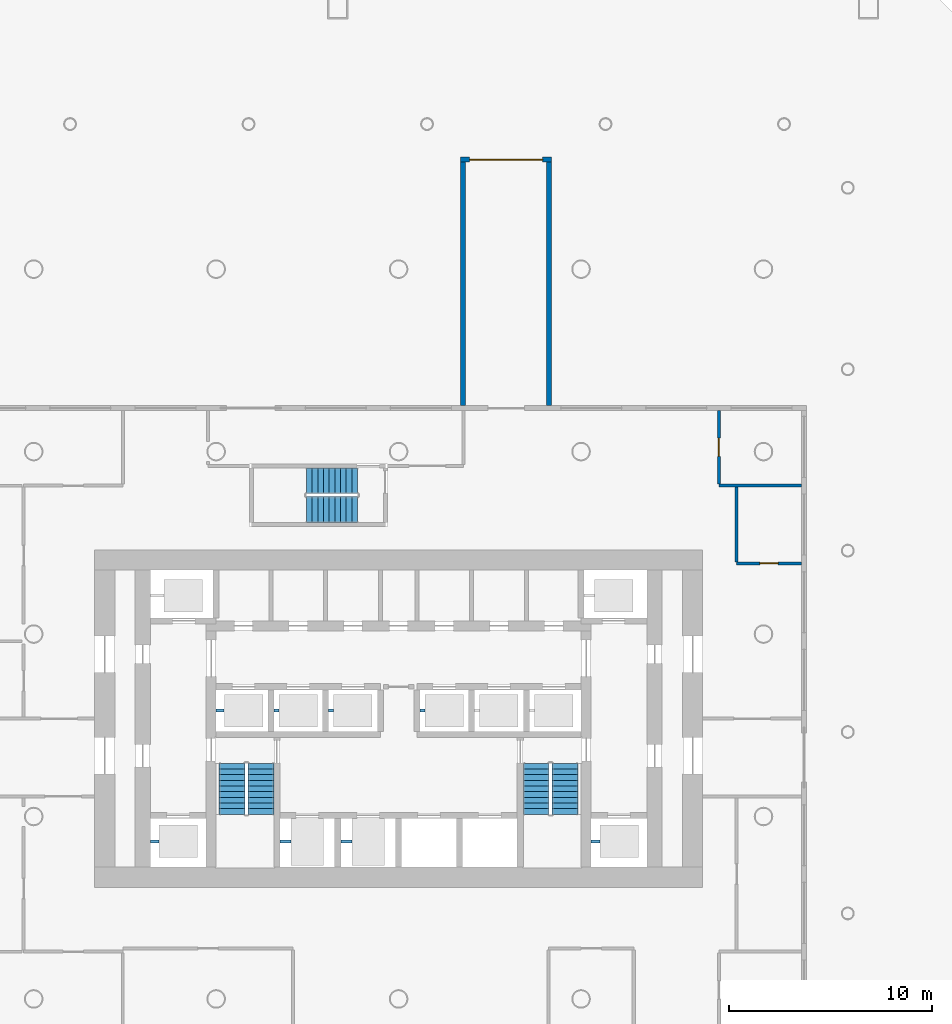
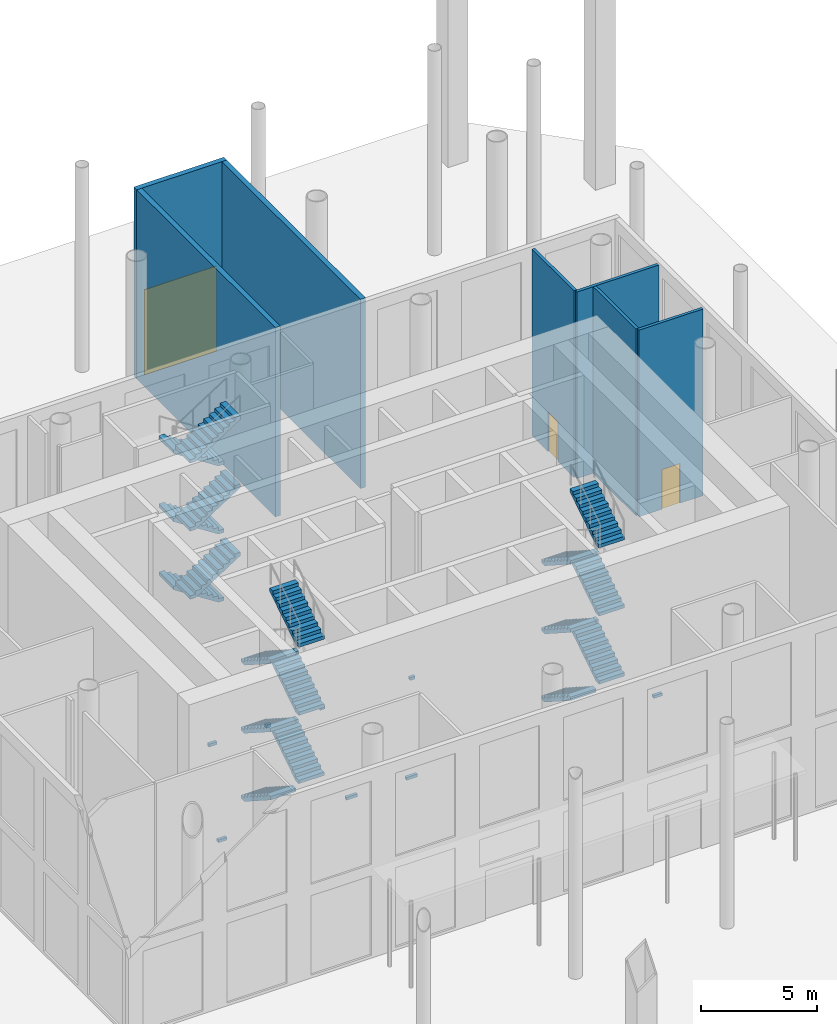
# One storey, part 14 of 18: 18 stair flights, 8 discrete accessories, 7 walls, 3 doors, 3 openings, 3 elements without a shape of their own.
"""IFC4 building model written with IfcOpenShell, lengths in metres."""

import ifcopenshell
import ifcopenshell.guid

model = None  # the IFC model being written
_history = None  # IfcOwnerHistory: only IFC2X3 demands one
_inside = {}  # id of a spatial element -> (the spatial element, [elements in it])
_under = {}  # id of a project, library or spatial element -> (it, [spatial elements below it])
_declared = {}  # id of a project -> (the project, [libraries it declares])
_typed = {}  # id of a type object -> (the type object, [elements of that type])
_made_of = {}  # id of a material, layer set ... -> (it, [elements and type objects made of it])


def new_model(schema):
    """Start an empty IFC model of exactly this schema.

    Asked for "IFC4X3", IfcOpenShell would pick the latest addendum, in which some entities
    have other attributes; the version numbers below select the first issue.
    IFC2X3 requires an IfcOwnerHistory on every rooted entity: one is made here for all.
    """
    global model, _history
    if schema == "IFC4X3":
        model = ifcopenshell.file(schema_version=(4, 3, 0, 0))
    else:
        model = ifcopenshell.file(schema=schema)
    _inside.clear()
    _under.clear()
    _declared.clear()
    _typed.clear()
    _made_of.clear()
    _history = None
    if model.schema == "IFC2X3":
        org = make("IfcOrganization", Name="unknown")
        user = make(
            "IfcPersonAndOrganization",
            ThePerson=make("IfcPerson", FamilyName="unknown"),
            TheOrganization=org,
        )
        app = make(
            "IfcApplication",
            ApplicationDeveloper=org,
            Version="unknown",
            ApplicationFullName="unknown",
            ApplicationIdentifier="unknown",
        )
        _history = make(
            "IfcOwnerHistory",
            OwningUser=user,
            OwningApplication=app,
            ChangeAction="ADDED",
            CreationDate=0,
        )
    return model


def make(cls, **values):
    """One entity of the class cls with the attributes given. An attribute that is None is left unset."""
    return model.create_entity(
        cls, **{name: value for name, value in values.items() if value is not None}
    )


def rooted(cls, **values):
    """An entity with a GlobalId (a new one), such as an element, a storey or a relation."""
    return make(cls, GlobalId=ifcopenshell.guid.new(), OwnerHistory=_history, **values)


def si_unit(unit_type, name, prefix=None):
    """IfcSIUnit, for example si_unit("LENGTHUNIT", "METRE", prefix="MILLI")."""
    return make("IfcSIUnit", UnitType=unit_type, Prefix=prefix, Name=name)


def assignment(units):
    """IfcUnitAssignment: the units of a project."""
    return None if units is None else make("IfcUnitAssignment", Units=units)


def point(xyz):
    """IfcCartesianPoint."""
    return None if xyz is None else make("IfcCartesianPoint", Coordinates=xyz)


def direction(xyz):
    """IfcDirection."""
    return None if xyz is None else make("IfcDirection", DirectionRatios=xyz)


def frame(location, z_axis=None, x_axis=None):
    """IfcAxis2Placement3D, a coordinate frame: its origin and axes. An axis left out is left unset."""
    return make(
        "IfcAxis2Placement3D",
        Location=point(location),
        Axis=direction(z_axis),
        RefDirection=direction(x_axis),
    )


def frame_2d(location, x_axis=None):
    """IfcAxis2Placement2D, a coordinate frame in the plane: its origin and x axis."""
    return make(
        "IfcAxis2Placement2D", Location=point(location), RefDirection=direction(x_axis)
    )


def origin():
    """The frame at (0, 0, 0) with its axes left unset."""
    return frame((0.0, 0.0, 0.0))


def origin_2d():
    """The frame at (0, 0) in the plane with its x axis left unset."""
    return frame_2d((0.0, 0.0))


def place(relative_to, where):
    """IfcLocalPlacement: puts the frame where relative to a parent placement (None: the world)."""
    return make(
        "IfcLocalPlacement", PlacementRelTo=relative_to, RelativePlacement=where
    )


def context(
    kind, dimensions, precision=None, world=None, true_north=None, identifier=None
):
    """IfcGeometricRepresentationContext, for example the 3D "Model" context."""
    return make(
        "IfcGeometricRepresentationContext",
        ContextIdentifier=identifier,
        ContextType=kind,
        CoordinateSpaceDimension=dimensions,
        Precision=precision,
        WorldCoordinateSystem=world,
        TrueNorth=true_north,
    )


def subcontext(parent, identifier, kind, view, scale=None):
    """IfcGeometricRepresentationSubContext, for example "Body" below "Model"."""
    return make(
        "IfcGeometricRepresentationSubContext",
        ContextIdentifier=identifier,
        ContextType=kind,
        ParentContext=parent,
        TargetScale=scale,
        TargetView=view,
    )


def project(units=None, contexts=None):
    """IfcProject with its units and contexts."""
    return rooted(
        "IfcProject",
        Name="project",
        RepresentationContexts=contexts,
        UnitsInContext=assignment(units),
    )


def spatial(cls, under=None, at=None, **own):
    """A site, building, storey or space (cls), placed at a placement, below another one or the project."""
    s = rooted(cls, ObjectPlacement=at, **own)
    if under is not None:
        _under.setdefault(under.id(), (under, []))[1].append(s)
    return s


def polyline(points):
    """IfcPolyline through the points."""
    return make("IfcPolyline", Points=[point(p) for p in points])


def profile(cls, at=None, kind="AREA", **sizes):
    """A parametric profile (cls). Its sizes go by their IFC names, for example OverallWidth=200.0."""
    return make(cls, ProfileType=kind, Position=at, **sizes)


def rectangle(**sizes):
    """IfcRectangleProfileDef."""
    return profile("IfcRectangleProfileDef", **sizes)


def outline(outer, holes=None, kind="AREA"):
    """IfcArbitraryClosedProfileDef: a profile drawn as a closed curve; with holes, ...WithVoids."""
    if holes is None:
        return make("IfcArbitraryClosedProfileDef", ProfileType=kind, OuterCurve=outer)
    return make(
        "IfcArbitraryProfileDefWithVoids",
        ProfileType=kind,
        OuterCurve=outer,
        InnerCurves=holes,
    )


def extrude(swept, where, along, depth):
    """IfcExtrudedAreaSolid: the profile swept, set in the frame where, extruded along a direction by depth."""
    return make(
        "IfcExtrudedAreaSolid",
        SweptArea=swept,
        Position=where,
        ExtrudedDirection=direction(along),
        Depth=depth,
    )


def shape(context_of_items, identifier, shape_type, items):
    """IfcShapeRepresentation: the items that make up one representation, for example the "Body"."""
    return make(
        "IfcShapeRepresentation",
        ContextOfItems=context_of_items,
        RepresentationIdentifier=identifier,
        RepresentationType=shape_type,
        Items=items,
    )


def material(Name=None, Category=None):
    """IfcMaterial."""
    return make("IfcMaterial", Name=Name, Category=Category)


def layer(
    of_material, thickness, ventilated=None, Name=None, Category=None, Priority=None
):
    """IfcMaterialLayer: one layer of a wall or slab, of a material (None: an air gap)."""
    return make(
        "IfcMaterialLayer",
        Material=of_material,
        LayerThickness=thickness,
        IsVentilated=ventilated,
        Name=Name,
        Category=Category,
        Priority=Priority,
    )


def layer_set(layers, Name=None):
    """IfcMaterialLayerSet."""
    return make("IfcMaterialLayerSet", MaterialLayers=layers, LayerSetName=Name)


def made_of(thing, what):
    """Note that an element or type object is made of a material, layer set ...; save() writes the relation."""
    if what is not None:
        _made_of.setdefault(what.id(), (what, []))[1].append(thing)
    return thing


def type_object(cls, material=None, **own):
    """A type object (cls), such as IfcWallType, which elements share."""
    return made_of(rooted(cls, **own), material)


def element(
    cls,
    number,
    at=None,
    inside=None,
    cuts=None,
    type_object=None,
    material=None,
    context=None,
    identifier="Body",
    shape_type=None,
    held_by="IfcProductDefinitionShape",
    body=None,
    shapes=None,
    **own,
):
    """One element of the class cls, such as IfcWall. Its Tag is "e" and its number.

    at: its placement. inside: the storey or other place that contains it. cuts: it is an
    opening in that element (IfcRelVoidsElement). A single representation is given by context,
    identifier, shape_type and body (its items); several are given by shapes. held_by: the class
    of the entity that holds the representations. save() writes the other relations.
    """
    e = rooted(cls, Tag="e%d" % number, ObjectPlacement=at, **own)
    if body is not None:
        shapes = [shape(context, identifier, shape_type, body)]
    if shapes is not None:
        e.Representation = make(held_by, Representations=shapes)
    if inside is not None:
        _inside.setdefault(inside.id(), (inside, []))[1].append(e)
    if cuts is not None:
        rooted(
            "IfcRelVoidsElement", RelatingBuildingElement=cuts, RelatedOpeningElement=e
        )
    if type_object is not None:
        _typed.setdefault(type_object.id(), (type_object, []))[1].append(e)
    return made_of(e, material)


def fill(opening, filler):
    """IfcRelFillsElement: the door or window that sits in an opening."""
    return rooted(
        "IfcRelFillsElement",
        RelatingOpeningElement=opening,
        RelatedBuildingElement=filler,
    )


def aggregate(whole, parts):
    """IfcRelAggregates: a whole, such as a stair, and the parts it consists of."""
    return rooted("IfcRelAggregates", RelatingObject=whole, RelatedObjects=parts)


def save(model, path):
    """Write the relations noted so far, then the file.

    IfcRelAggregates (storeys below a building ...), IfcRelContainedInSpatialStructure (elements
    in a storey), IfcRelDefinesByType, IfcRelAssociatesMaterial and IfcRelDeclares: one each for
    every whole, place, type object, material and project.
    """
    for whole, parts in _under.values():
        aggregate(whole, parts)
    for where, things in _inside.values():
        rooted(
            "IfcRelContainedInSpatialStructure",
            RelatedElements=things,
            RelatingStructure=where,
        )
    for kind, things in _typed.values():
        rooted("IfcRelDefinesByType", RelatedObjects=things, RelatingType=kind)
    for what, things in _made_of.values():
        rooted("IfcRelAssociatesMaterial", RelatedObjects=things, RelatingMaterial=what)
    for by, libraries in _declared.values():
        rooted("IfcRelDeclares", RelatingContext=by, RelatedDefinitions=libraries)
    model.write(path)


model = new_model("IFC4")

# Units and contexts
model_context = context("Model", 3, precision=1e-05, world=origin(), true_north=direction((0.0, 1.0)))
body_context = subcontext(model_context, "Body", "Model", "MODEL_VIEW")
ifc_project = project(units=[si_unit("LENGTHUNIT", "METRE"), si_unit("AREAUNIT", "SQUARE_METRE"), si_unit("VOLUMEUNIT", "CUBIC_METRE"), si_unit("PLANEANGLEUNIT", "RADIAN"), si_unit("MASSUNIT", "GRAM", prefix="KILO")], contexts=[model_context])

# Site, building, storey
site_placement = place(None, origin())
site = spatial("IfcSite", under=ifc_project, at=site_placement, CompositionType="ELEMENT")
building_placement = place(site_placement, origin())
building = spatial("IfcBuilding", under=site, at=building_placement, Name="Tskaro Facet Tower", CompositionType="ELEMENT")
storey_placement = place(building_placement, origin())
storey = spatial("IfcBuildingStorey", under=building, at=storey_placement, Name="L00", CompositionType="ELEMENT", Elevation=0.0)

# Walls
ifc_material_1 = material(Name="Precast concrete C40/50", Category="concrete")
ifc_layer_1 = layer(ifc_material_1, 0.25, Name="Precast concrete C40/50")
ifc_layer_set_1 = layer_set([ifc_layer_1], Name="Precast concrete C40/50")
wall_type_1 = type_object("IfcWallType", Name="Dock wall", PredefinedType="STANDARD", material=ifc_layer_set_1)
for number, where, z_axis, x_axis, name in (
    (1, (3.175048828125, 11.27490234375, 0.0), (0.0, 0.0, 1.0), (0.0, 1.0, 0.0), "Dock wall west"),
    (2, (7.425048828125, 11.27490234375, 0.0), (0.0, 0.0, 1.0), (0.0, 1.0, 0.0), "Dock wall east"),
):
    element("IfcWall", number, at=place(storey_placement, frame(where, z_axis=z_axis, x_axis=x_axis)), inside=storey, type_object=wall_type_1, Name=name, PredefinedType="STANDARD", context=body_context, shape_type="SweptSolid", body=[
        extrude(rectangle(XDim=12.0, YDim=0.25, at=frame_2d((6.0, 0.0))), origin(), (0.0, 0.0, 1.0), 10.0),
    ])

# Wall, opening, door
wall_1_placement = place(storey_placement, frame((3.050048828125, 23.39990234375, 0.0), z_axis=(0.0, 0.0, 1.0), x_axis=(1.0, 0.0, 0.0)))
wall_1 = element("IfcWall", 3, at=wall_1_placement, inside=storey, type_object=wall_type_1, Name="Dock wall north", PredefinedType="STANDARD", context=body_context, shape_type="SweptSolid", body=[
    extrude(rectangle(XDim=4.5, YDim=0.25, at=frame_2d((2.25, 0.0))), origin(), (0.0, 0.0, 1.0), 10.0),
])
opening_1_placement = place(wall_1_placement, frame((0.449951171875, 0.0, 0.0)))
opening_1 = element("IfcOpeningElement", 4, at=opening_1_placement, cuts=wall_1, Name="Opening E07", PredefinedType="OPENING", context=body_context, shape_type="SweptSolid", body=[
    extrude(rectangle(XDim=3.60009765625, YDim=4.5, at=frame_2d((1.800048828125, 2.25))), frame((0.0, 0.135009765625, 0.0), z_axis=(0.0, -1.0, 0.0), x_axis=(1.0, 0.0, 0.0)), (0.0, 0.0, 1.0), 0.27001953125),
])
ifc_material_2 = material(Name="Bronze anodised aluminium 6063-T6", Category="aluminium")
door_type_1 = type_object("IfcDoorType", Name="Roller shutter door 3600x4500", OperationType="ROLLINGUP", PredefinedType="DOOR", material=ifc_material_2)
door_1_placement = place(opening_1_placement, origin())
door_1 = element("IfcDoor", 5, at=door_1_placement, inside=storey, type_object=door_type_1, Name="Dock roller shutter door", OperationType="ROLLINGUP", OverallHeight=4.5, OverallWidth=3.60009765625, PredefinedType="DOOR", context=body_context, shape_type="SweptSolid", body=[
    extrude(rectangle(XDim=3.60009765625, YDim=4.5, at=frame_2d((1.800048828125, 2.25))), frame((0.0, 0.02490234375, 0.0), z_axis=(0.0, -1.0, 0.0), x_axis=(1.0, 0.0, 0.0)), (0.0, 0.0, 1.0), 0.050048828125),
])
fill(opening_1, door_1)

ifc_material_3 = material(Name="Gypsum board on steel studs", Category="steel")
ifc_layer_2 = layer(ifc_material_3, 0.14990234375, Name="Gypsum board on steel studs")
ifc_layer_set_2 = layer_set([ifc_layer_2], Name="Gypsum board on steel studs")
wall_type_2 = type_object("IfcWallType", Name="PART-CORR", PredefinedType="PARTITIONING", material=ifc_layer_set_2)
wall_2_placement = place(storey_placement, frame((16.675048828125, 3.487060546875, 0.0), z_axis=(0.0, 0.0, 1.0), x_axis=(1.0, 0.0, 0.0)))
wall_2 = element("IfcWall", 6, at=wall_2_placement, inside=storey, type_object=wall_type_2, Name="Corridor wall W021", PredefinedType="PARTITIONING", context=body_context, shape_type="SweptSolid", body=[
    extrude(rectangle(XDim=3.199951171875, YDim=0.14990234375, at=frame_2d((1.60009765625, 0.0))), origin(), (0.0, 0.0, 1.0), 9.860107421875),
])
opening_2_placement = place(wall_2_placement, frame((1.14990234375, 0.0, 0.0)))
opening_2 = element("IfcOpeningElement", 7, at=opening_2_placement, cuts=wall_2, Name="Opening G-D21", PredefinedType="OPENING", context=body_context, shape_type="SweptSolid", body=[
    extrude(rectangle(XDim=0.89990234375, YDim=2.10009765625, at=frame_2d((0.449951171875, 1.050048828125))), frame((0.0, 0.0849609375, 0.0), z_axis=(0.0, -1.0, 0.0), x_axis=(1.0, 0.0, 0.0)), (0.0, 0.0, 1.0), 0.169921875),
])
ifc_material_4 = material(Name="Timber", Category="wood")
door_type_2 = type_object("IfcDoorType", Name="D-ROOM", OperationType="NOTDEFINED", PredefinedType="DOOR", material=ifc_material_4)
door_2_placement = place(opening_2_placement, origin())
door_2 = element("IfcDoor", 8, at=door_2_placement, inside=storey, type_object=door_type_2, Name="Door G-D21", OperationType="SINGLE_SWING_LEFT", OverallHeight=2.10009765625, OverallWidth=0.89990234375, PredefinedType="DOOR", context=body_context, shape_type="SweptSolid", body=[
    extrude(rectangle(XDim=0.89990234375, YDim=2.10009765625, at=frame_2d((0.449951171875, 1.050048828125))), frame((0.0, 0.02490234375, 0.0), z_axis=(0.0, -1.0, 0.0), x_axis=(1.0, 0.0, 0.0)), (0.0, 0.0, 1.0), 0.050048828125),
])
fill(opening_2, door_2)

# Wall
wall_3_placement = place(storey_placement, frame((15.800048828125, 7.319091796875, 0.0), z_axis=(0.0, 0.0, 1.0), x_axis=(1.0, 0.0, 0.0)))
element("IfcWall", 9, at=wall_3_placement, inside=storey, type_object=wall_type_2, Name="Corridor wall W025", PredefinedType="PARTITIONING", context=body_context, shape_type="SweptSolid", body=[
    extrude(rectangle(XDim=4.074951171875, YDim=0.14990234375, at=frame_2d((2.03759765625, 0.0))), origin(), (0.0, 0.0, 1.0), 9.860107421875),
])

# Wall, opening, door
wall_4_placement = place(storey_placement, frame((15.800048828125, 11.02490234375, 0.0), z_axis=(0.0, 0.0, 1.0), x_axis=(0.0, -1.0, 0.0)))
wall_4 = element("IfcWall", 10, at=wall_4_placement, inside=storey, type_object=wall_type_2, Name="Corridor wall W063", PredefinedType="PARTITIONING", context=body_context, shape_type="SweptSolid", body=[
    extrude(rectangle(XDim=3.630859375, YDim=0.14990234375, at=frame_2d((1.8154296875, 0.0))), origin(), (0.0, 0.0, 1.0), 9.860107421875),
])
opening_3_placement = place(wall_4_placement, frame((1.365478515625, 0.0, 0.0)))
opening_3 = element("IfcOpeningElement", 11, at=opening_3_placement, cuts=wall_4, Name="Opening G-D24", PredefinedType="OPENING", context=body_context, shape_type="SweptSolid", body=[
    extrude(rectangle(XDim=0.89990234375, YDim=2.10009765625, at=frame_2d((0.449951171875, 1.050048828125))), frame((0.0, 0.0849609375, 0.0), z_axis=(0.0, -1.0, 0.0), x_axis=(1.0, 0.0, 0.0)), (0.0, 0.0, 1.0), 0.169921875),
])
door_3_placement = place(opening_3_placement, origin())
door_3 = element("IfcDoor", 12, at=door_3_placement, inside=storey, type_object=door_type_2, Name="Door G-D24", OperationType="SINGLE_SWING_RIGHT", OverallHeight=2.10009765625, OverallWidth=0.89990234375, PredefinedType="DOOR", context=body_context, shape_type="SweptSolid", body=[
    extrude(rectangle(XDim=0.89990234375, YDim=2.10009765625, at=frame_2d((0.449951171875, 1.050048828125))), frame((0.0, 0.02490234375, 0.0), z_axis=(0.0, -1.0, 0.0), x_axis=(1.0, 0.0, 0.0)), (0.0, 0.0, 1.0), 0.050048828125),
])
fill(opening_3, door_3)

# Wall
wall_5_placement = place(storey_placement, frame((16.675048828125, 3.56201171875, 0.0), z_axis=(0.0, 0.0, 1.0), x_axis=(0.0, 1.0, 0.0)))
element("IfcWall", 13, at=wall_5_placement, inside=storey, type_object=wall_type_2, Name="Corridor wall W065", PredefinedType="PARTITIONING", context=body_context, shape_type="SweptSolid", body=[
    extrude(rectangle(XDim=3.681884765625, YDim=0.14990234375, at=frame_2d((1.8408203125, 0.0))), origin(), (0.0, 0.0, 1.0), 9.860107421875),
])

# Stair, stair flights
ifc_material_5 = material(Name="Concrete C40/50", Category="concrete")
stair_type = type_object("IfcStairType", Name="ST-TWR", PredefinedType="HALF_TURN_STAIR", material=ifc_material_5)
stair_1_placement = place(storey_placement, origin())
stair_1 = element("IfcStair", 14, at=stair_1_placement, inside=storey, type_object=stair_type, Name="L00 Exit stair 1", PredefinedType="HALF_TURN_STAIR")
stair_flight_type = type_object("IfcStairFlightType", Name="SFL-RC", PredefinedType="STRAIGHT", material=ifc_material_5)
stair_flight_1_placement = place(storey_placement, frame((-8.21240234375, -6.375, 0.0), z_axis=(0.0, 0.0, 1.0), x_axis=(0.0, -1.0, 0.0)))
stair_flight_1 = element("IfcStairFlight", 15, at=stair_flight_1_placement, type_object=stair_flight_type, Name="ST-1 flight 1", NumberOfRisers=10, NumberOfTreads=9, PredefinedType="STRAIGHT", RiserHeight=0.18, TreadLength=0.28, context=body_context, shape_type="SweptSolid", body=[
    extrude(outline(polyline([(0.0, 0.0), (0.0, 0.179931640625), (0.280029296875, 0.179931640625), (0.280029296875, 0.360107421875), (0.56005859375, 0.360107421875), (0.56005859375, 0.5400390625), (0.840087890625, 0.5400390625), (0.840087890625, 0.719970703125), (1.1201171875, 0.719970703125), (1.1201171875, 0.89990234375), (1.39990234375, 0.89990234375), (1.39990234375, 1.080078125), (1.679931640625, 1.080078125), (1.679931640625, 1.260009765625), (1.9599609375, 1.260009765625), (1.9599609375, 1.43994140625), (2.239990234375, 1.43994140625), (2.239990234375, 1.6201171875), (2.52001953125, 1.6201171875), (2.52001953125, 1.800048828125), (2.52001953125, 1.44189453125), (0.277099609375, 0.0), (0.0, 0.0)])), frame((0.0, 0.637451171875, 0.0), z_axis=(0.0, -1.0, 0.0), x_axis=(1.0, 0.0, 0.0)), (0.0, 0.0, 1.0), 1.27490234375),
])
stair_flight_2_placement = place(storey_placement, frame((-6.78759765625, -8.89501953125, 1.800048828125), z_axis=(0.0, 0.0, 1.0), x_axis=(0.0, 1.0, 0.0)))
stair_flight_2 = element("IfcStairFlight", 16, at=stair_flight_2_placement, type_object=stair_flight_type, Name="ST-1 flight 2", NumberOfRisers=10, NumberOfTreads=9, PredefinedType="STRAIGHT", RiserHeight=0.18, TreadLength=0.28, context=body_context, shape_type="SweptSolid", body=[
    extrude(outline(polyline([(0.0, 0.0), (0.0, 0.179931640625), (0.280029296875, 0.179931640625), (0.280029296875, 0.360107421875), (0.56005859375, 0.360107421875), (0.56005859375, 0.5400390625), (0.840087890625, 0.5400390625), (0.840087890625, 0.719970703125), (1.1201171875, 0.719970703125), (1.1201171875, 0.89990234375), (1.39990234375, 0.89990234375), (1.39990234375, 1.080078125), (1.679931640625, 1.080078125), (1.679931640625, 1.260009765625), (1.9599609375, 1.260009765625), (1.9599609375, 1.43994140625), (2.239990234375, 1.43994140625), (2.239990234375, 1.6201171875), (2.52001953125, 1.6201171875), (2.52001953125, 1.800048828125), (2.52001953125, 1.44189453125), (0.277099609375, 0.0), (0.0, 0.0)])), frame((0.0, 0.637451171875, 0.0), z_axis=(0.0, -1.0, 0.0), x_axis=(1.0, 0.0, 0.0)), (0.0, 0.0, 1.0), 1.27490234375),
])
stair_flight_3_placement = place(storey_placement, frame((-8.21240234375, -6.375, 3.60009765625), z_axis=(0.0, 0.0, 1.0), x_axis=(0.0, -1.0, 0.0)))
stair_flight_3 = element("IfcStairFlight", 17, at=stair_flight_3_placement, type_object=stair_flight_type, Name="ST-1 flight 3", NumberOfRisers=10, NumberOfTreads=9, PredefinedType="STRAIGHT", RiserHeight=0.18, TreadLength=0.28, context=body_context, shape_type="SweptSolid", body=[
    extrude(outline(polyline([(0.0, 0.0), (0.0, 0.179931640625), (0.280029296875, 0.179931640625), (0.280029296875, 0.360107421875), (0.56005859375, 0.360107421875), (0.56005859375, 0.5400390625), (0.840087890625, 0.5400390625), (0.840087890625, 0.719970703125), (1.1201171875, 0.719970703125), (1.1201171875, 0.89990234375), (1.39990234375, 0.89990234375), (1.39990234375, 1.080078125), (1.679931640625, 1.080078125), (1.679931640625, 1.260009765625), (1.9599609375, 1.260009765625), (1.9599609375, 1.43994140625), (2.239990234375, 1.43994140625), (2.239990234375, 1.6201171875), (2.52001953125, 1.6201171875), (2.52001953125, 1.800048828125), (2.52001953125, 1.44189453125), (0.277099609375, 0.0), (0.0, 0.0)])), frame((0.0, 0.637451171875, 0.0), z_axis=(0.0, -1.0, 0.0), x_axis=(1.0, 0.0, 0.0)), (0.0, 0.0, 1.0), 1.27490234375),
])
stair_flight_4_placement = place(storey_placement, frame((-6.78759765625, -8.89501953125, 5.39990234375), z_axis=(0.0, 0.0, 1.0), x_axis=(0.0, 1.0, 0.0)))
stair_flight_4 = element("IfcStairFlight", 18, at=stair_flight_4_placement, type_object=stair_flight_type, Name="ST-1 flight 4", NumberOfRisers=10, NumberOfTreads=9, PredefinedType="STRAIGHT", RiserHeight=0.18, TreadLength=0.28, context=body_context, shape_type="SweptSolid", body=[
    extrude(outline(polyline([(0.0, 0.0), (0.0, 0.179931640625), (0.280029296875, 0.179931640625), (0.280029296875, 0.360107421875), (0.56005859375, 0.360107421875), (0.56005859375, 0.5400390625), (0.840087890625, 0.5400390625), (0.840087890625, 0.719970703125), (1.1201171875, 0.719970703125), (1.1201171875, 0.89990234375), (1.39990234375, 0.89990234375), (1.39990234375, 1.080078125), (1.679931640625, 1.080078125), (1.679931640625, 1.260009765625), (1.9599609375, 1.260009765625), (1.9599609375, 1.43994140625), (2.239990234375, 1.43994140625), (2.239990234375, 1.6201171875), (2.52001953125, 1.6201171875), (2.52001953125, 1.800048828125), (2.52001953125, 1.44189453125), (0.277099609375, 0.0), (0.0, 0.0)])), frame((0.0, 0.637451171875, 0.0), z_axis=(0.0, -1.0, 0.0), x_axis=(1.0, 0.0, 0.0)), (0.0, 0.0, 1.0), 1.27490234375),
])
stair_flight_5_placement = place(storey_placement, frame((-8.21240234375, -6.375, 7.199951171875), z_axis=(0.0, 0.0, 1.0), x_axis=(0.0, -1.0, 0.0)))
stair_flight_5 = element("IfcStairFlight", 19, at=stair_flight_5_placement, type_object=stair_flight_type, Name="ST-1 flight 5", NumberOfRisers=10, NumberOfTreads=9, PredefinedType="STRAIGHT", RiserHeight=0.18, TreadLength=0.28, context=body_context, shape_type="SweptSolid", body=[
    extrude(outline(polyline([(0.0, 0.0), (0.0, 0.179931640625), (0.280029296875, 0.179931640625), (0.280029296875, 0.360107421875), (0.56005859375, 0.360107421875), (0.56005859375, 0.5400390625), (0.840087890625, 0.5400390625), (0.840087890625, 0.719970703125), (1.1201171875, 0.719970703125), (1.1201171875, 0.89990234375), (1.39990234375, 0.89990234375), (1.39990234375, 1.080078125), (1.679931640625, 1.080078125), (1.679931640625, 1.260009765625), (1.9599609375, 1.260009765625), (1.9599609375, 1.43994140625), (2.239990234375, 1.43994140625), (2.239990234375, 1.6201171875), (2.52001953125, 1.6201171875), (2.52001953125, 1.800048828125), (2.52001953125, 1.44189453125), (0.277099609375, 0.0), (0.0, 0.0)])), frame((0.0, 0.637451171875, 0.0), z_axis=(0.0, -1.0, 0.0), x_axis=(1.0, 0.0, 0.0)), (0.0, 0.0, 1.0), 1.27490234375),
])
stair_flight_6_placement = place(storey_placement, frame((-6.78759765625, -8.89501953125, 9.0), z_axis=(0.0, 0.0, 1.0), x_axis=(0.0, 1.0, 0.0)))
stair_flight_6 = element("IfcStairFlight", 20, at=stair_flight_6_placement, type_object=stair_flight_type, Name="ST-1 flight 6", NumberOfRisers=10, NumberOfTreads=9, PredefinedType="STRAIGHT", RiserHeight=0.18, TreadLength=0.28, context=body_context, shape_type="SweptSolid", body=[
    extrude(outline(polyline([(0.0, 0.0), (0.0, 0.179931640625), (0.280029296875, 0.179931640625), (0.280029296875, 0.360107421875), (0.56005859375, 0.360107421875), (0.56005859375, 0.5400390625), (0.840087890625, 0.5400390625), (0.840087890625, 0.719970703125), (1.1201171875, 0.719970703125), (1.1201171875, 0.89990234375), (1.39990234375, 0.89990234375), (1.39990234375, 1.080078125), (1.679931640625, 1.080078125), (1.679931640625, 1.260009765625), (1.9599609375, 1.260009765625), (1.9599609375, 1.43994140625), (2.239990234375, 1.43994140625), (2.239990234375, 1.6201171875), (2.52001953125, 1.6201171875), (2.52001953125, 1.800048828125), (2.52001953125, 1.44189453125), (0.277099609375, 0.0), (0.0, 0.0)])), frame((0.0, 0.637451171875, 0.0), z_axis=(0.0, -1.0, 0.0), x_axis=(1.0, 0.0, 0.0)), (0.0, 0.0, 1.0), 1.27490234375),
])
aggregate(stair_1, [stair_flight_1, stair_flight_2, stair_flight_3, stair_flight_4, stair_flight_5, stair_flight_6])

stair_2_placement = place(storey_placement, origin())
stair_2 = element("IfcStair", 21, at=stair_2_placement, inside=storey, type_object=stair_type, Name="L00 Exit stair 2", PredefinedType="HALF_TURN_STAIR")
stair_flight_7_placement = place(storey_placement, frame((6.78759765625, -6.375, 0.0), z_axis=(0.0, 0.0, 1.0), x_axis=(0.0, -1.0, 0.0)))
stair_flight_7 = element("IfcStairFlight", 22, at=stair_flight_7_placement, type_object=stair_flight_type, Name="ST-2 flight 1", NumberOfRisers=10, NumberOfTreads=9, PredefinedType="STRAIGHT", RiserHeight=0.18, TreadLength=0.28, context=body_context, shape_type="SweptSolid", body=[
    extrude(outline(polyline([(0.0, 0.0), (0.0, 0.179931640625), (0.280029296875, 0.179931640625), (0.280029296875, 0.360107421875), (0.56005859375, 0.360107421875), (0.56005859375, 0.5400390625), (0.840087890625, 0.5400390625), (0.840087890625, 0.719970703125), (1.1201171875, 0.719970703125), (1.1201171875, 0.89990234375), (1.39990234375, 0.89990234375), (1.39990234375, 1.080078125), (1.679931640625, 1.080078125), (1.679931640625, 1.260009765625), (1.9599609375, 1.260009765625), (1.9599609375, 1.43994140625), (2.239990234375, 1.43994140625), (2.239990234375, 1.6201171875), (2.52001953125, 1.6201171875), (2.52001953125, 1.800048828125), (2.52001953125, 1.44189453125), (0.277099609375, 0.0), (0.0, 0.0)])), frame((0.0, 0.637451171875, 0.0), z_axis=(0.0, -1.0, 0.0), x_axis=(1.0, 0.0, 0.0)), (0.0, 0.0, 1.0), 1.27490234375),
])
stair_flight_8_placement = place(storey_placement, frame((8.21240234375, -8.89501953125, 1.800048828125), z_axis=(0.0, 0.0, 1.0), x_axis=(0.0, 1.0, 0.0)))
stair_flight_8 = element("IfcStairFlight", 23, at=stair_flight_8_placement, type_object=stair_flight_type, Name="ST-2 flight 2", NumberOfRisers=10, NumberOfTreads=9, PredefinedType="STRAIGHT", RiserHeight=0.18, TreadLength=0.28, context=body_context, shape_type="SweptSolid", body=[
    extrude(outline(polyline([(0.0, 0.0), (0.0, 0.179931640625), (0.280029296875, 0.179931640625), (0.280029296875, 0.360107421875), (0.56005859375, 0.360107421875), (0.56005859375, 0.5400390625), (0.840087890625, 0.5400390625), (0.840087890625, 0.719970703125), (1.1201171875, 0.719970703125), (1.1201171875, 0.89990234375), (1.39990234375, 0.89990234375), (1.39990234375, 1.080078125), (1.679931640625, 1.080078125), (1.679931640625, 1.260009765625), (1.9599609375, 1.260009765625), (1.9599609375, 1.43994140625), (2.239990234375, 1.43994140625), (2.239990234375, 1.6201171875), (2.52001953125, 1.6201171875), (2.52001953125, 1.800048828125), (2.52001953125, 1.44189453125), (0.277099609375, 0.0), (0.0, 0.0)])), frame((0.0, 0.637451171875, 0.0), z_axis=(0.0, -1.0, 0.0), x_axis=(1.0, 0.0, 0.0)), (0.0, 0.0, 1.0), 1.27490234375),
])
stair_flight_9_placement = place(storey_placement, frame((6.78759765625, -6.375, 3.60009765625), z_axis=(0.0, 0.0, 1.0), x_axis=(0.0, -1.0, 0.0)))
stair_flight_9 = element("IfcStairFlight", 24, at=stair_flight_9_placement, type_object=stair_flight_type, Name="ST-2 flight 3", NumberOfRisers=10, NumberOfTreads=9, PredefinedType="STRAIGHT", RiserHeight=0.18, TreadLength=0.28, context=body_context, shape_type="SweptSolid", body=[
    extrude(outline(polyline([(0.0, 0.0), (0.0, 0.179931640625), (0.280029296875, 0.179931640625), (0.280029296875, 0.360107421875), (0.56005859375, 0.360107421875), (0.56005859375, 0.5400390625), (0.840087890625, 0.5400390625), (0.840087890625, 0.719970703125), (1.1201171875, 0.719970703125), (1.1201171875, 0.89990234375), (1.39990234375, 0.89990234375), (1.39990234375, 1.080078125), (1.679931640625, 1.080078125), (1.679931640625, 1.260009765625), (1.9599609375, 1.260009765625), (1.9599609375, 1.43994140625), (2.239990234375, 1.43994140625), (2.239990234375, 1.6201171875), (2.52001953125, 1.6201171875), (2.52001953125, 1.800048828125), (2.52001953125, 1.44189453125), (0.277099609375, 0.0), (0.0, 0.0)])), frame((0.0, 0.637451171875, 0.0), z_axis=(0.0, -1.0, 0.0), x_axis=(1.0, 0.0, 0.0)), (0.0, 0.0, 1.0), 1.27490234375),
])
stair_flight_10_placement = place(storey_placement, frame((8.21240234375, -8.89501953125, 5.39990234375), z_axis=(0.0, 0.0, 1.0), x_axis=(0.0, 1.0, 0.0)))
stair_flight_10 = element("IfcStairFlight", 25, at=stair_flight_10_placement, type_object=stair_flight_type, Name="ST-2 flight 4", NumberOfRisers=10, NumberOfTreads=9, PredefinedType="STRAIGHT", RiserHeight=0.18, TreadLength=0.28, context=body_context, shape_type="SweptSolid", body=[
    extrude(outline(polyline([(0.0, 0.0), (0.0, 0.179931640625), (0.280029296875, 0.179931640625), (0.280029296875, 0.360107421875), (0.56005859375, 0.360107421875), (0.56005859375, 0.5400390625), (0.840087890625, 0.5400390625), (0.840087890625, 0.719970703125), (1.1201171875, 0.719970703125), (1.1201171875, 0.89990234375), (1.39990234375, 0.89990234375), (1.39990234375, 1.080078125), (1.679931640625, 1.080078125), (1.679931640625, 1.260009765625), (1.9599609375, 1.260009765625), (1.9599609375, 1.43994140625), (2.239990234375, 1.43994140625), (2.239990234375, 1.6201171875), (2.52001953125, 1.6201171875), (2.52001953125, 1.800048828125), (2.52001953125, 1.44189453125), (0.277099609375, 0.0), (0.0, 0.0)])), frame((0.0, 0.637451171875, 0.0), z_axis=(0.0, -1.0, 0.0), x_axis=(1.0, 0.0, 0.0)), (0.0, 0.0, 1.0), 1.27490234375),
])
stair_flight_11_placement = place(storey_placement, frame((6.78759765625, -6.375, 7.199951171875), z_axis=(0.0, 0.0, 1.0), x_axis=(0.0, -1.0, 0.0)))
stair_flight_11 = element("IfcStairFlight", 26, at=stair_flight_11_placement, type_object=stair_flight_type, Name="ST-2 flight 5", NumberOfRisers=10, NumberOfTreads=9, PredefinedType="STRAIGHT", RiserHeight=0.18, TreadLength=0.28, context=body_context, shape_type="SweptSolid", body=[
    extrude(outline(polyline([(0.0, 0.0), (0.0, 0.179931640625), (0.280029296875, 0.179931640625), (0.280029296875, 0.360107421875), (0.56005859375, 0.360107421875), (0.56005859375, 0.5400390625), (0.840087890625, 0.5400390625), (0.840087890625, 0.719970703125), (1.1201171875, 0.719970703125), (1.1201171875, 0.89990234375), (1.39990234375, 0.89990234375), (1.39990234375, 1.080078125), (1.679931640625, 1.080078125), (1.679931640625, 1.260009765625), (1.9599609375, 1.260009765625), (1.9599609375, 1.43994140625), (2.239990234375, 1.43994140625), (2.239990234375, 1.6201171875), (2.52001953125, 1.6201171875), (2.52001953125, 1.800048828125), (2.52001953125, 1.44189453125), (0.277099609375, 0.0), (0.0, 0.0)])), frame((0.0, 0.637451171875, 0.0), z_axis=(0.0, -1.0, 0.0), x_axis=(1.0, 0.0, 0.0)), (0.0, 0.0, 1.0), 1.27490234375),
])
stair_flight_12_placement = place(storey_placement, frame((8.21240234375, -8.89501953125, 9.0), z_axis=(0.0, 0.0, 1.0), x_axis=(0.0, 1.0, 0.0)))
stair_flight_12 = element("IfcStairFlight", 27, at=stair_flight_12_placement, type_object=stair_flight_type, Name="ST-2 flight 6", NumberOfRisers=10, NumberOfTreads=9, PredefinedType="STRAIGHT", RiserHeight=0.18, TreadLength=0.28, context=body_context, shape_type="SweptSolid", body=[
    extrude(outline(polyline([(0.0, 0.0), (0.0, 0.179931640625), (0.280029296875, 0.179931640625), (0.280029296875, 0.360107421875), (0.56005859375, 0.360107421875), (0.56005859375, 0.5400390625), (0.840087890625, 0.5400390625), (0.840087890625, 0.719970703125), (1.1201171875, 0.719970703125), (1.1201171875, 0.89990234375), (1.39990234375, 0.89990234375), (1.39990234375, 1.080078125), (1.679931640625, 1.080078125), (1.679931640625, 1.260009765625), (1.9599609375, 1.260009765625), (1.9599609375, 1.43994140625), (2.239990234375, 1.43994140625), (2.239990234375, 1.6201171875), (2.52001953125, 1.6201171875), (2.52001953125, 1.800048828125), (2.52001953125, 1.44189453125), (0.277099609375, 0.0), (0.0, 0.0)])), frame((0.0, 0.637451171875, 0.0), z_axis=(0.0, -1.0, 0.0), x_axis=(1.0, 0.0, 0.0)), (0.0, 0.0, 1.0), 1.27490234375),
])
aggregate(stair_2, [stair_flight_7, stair_flight_8, stair_flight_9, stair_flight_10, stair_flight_11, stair_flight_12])

stair_3_placement = place(storey_placement, origin())
stair_3 = element("IfcStair", 28, at=stair_3_placement, inside=storey, type_object=stair_type, Name="L00 Exit stair 3", PredefinedType="HALF_TURN_STAIR")
stair_flight_13_placement = place(storey_placement, frame((-2.02490234375, 7.5625, 0.0), z_axis=(0.0, 0.0, 1.0), x_axis=(-1.0, 0.0, 0.0)))
stair_flight_13 = element("IfcStairFlight", 29, at=stair_flight_13_placement, type_object=stair_flight_type, Name="ST-3 flight 1", NumberOfRisers=10, NumberOfTreads=9, PredefinedType="STRAIGHT", RiserHeight=0.18, TreadLength=0.28, context=body_context, shape_type="SweptSolid", body=[
    extrude(outline(polyline([(0.0, 0.0), (0.0, 0.179931640625), (0.280029296875, 0.179931640625), (0.280029296875, 0.360107421875), (0.56005859375, 0.360107421875), (0.56005859375, 0.5400390625), (0.840087890625, 0.5400390625), (0.840087890625, 0.719970703125), (1.1201171875, 0.719970703125), (1.1201171875, 0.89990234375), (1.39990234375, 0.89990234375), (1.39990234375, 1.080078125), (1.679931640625, 1.080078125), (1.679931640625, 1.260009765625), (1.9599609375, 1.260009765625), (1.9599609375, 1.43994140625), (2.239990234375, 1.43994140625), (2.239990234375, 1.6201171875), (2.52001953125, 1.6201171875), (2.52001953125, 1.800048828125), (2.52001953125, 1.44189453125), (0.277099609375, 0.0), (0.0, 0.0)])), frame((0.0, 0.637451171875, 0.0), z_axis=(0.0, -1.0, 0.0), x_axis=(1.0, 0.0, 0.0)), (0.0, 0.0, 1.0), 1.27490234375),
])
stair_flight_14_placement = place(storey_placement, frame((-4.544921875, 6.137451171875, 1.800048828125), z_axis=(0.0, 0.0, 1.0), x_axis=(1.0, 0.0, 0.0)))
stair_flight_14 = element("IfcStairFlight", 30, at=stair_flight_14_placement, type_object=stair_flight_type, Name="ST-3 flight 2", NumberOfRisers=10, NumberOfTreads=9, PredefinedType="STRAIGHT", RiserHeight=0.18, TreadLength=0.28, context=body_context, shape_type="SweptSolid", body=[
    extrude(outline(polyline([(0.0, 0.0), (0.0, 0.179931640625), (0.280029296875, 0.179931640625), (0.280029296875, 0.360107421875), (0.56005859375, 0.360107421875), (0.56005859375, 0.5400390625), (0.840087890625, 0.5400390625), (0.840087890625, 0.719970703125), (1.1201171875, 0.719970703125), (1.1201171875, 0.89990234375), (1.39990234375, 0.89990234375), (1.39990234375, 1.080078125), (1.679931640625, 1.080078125), (1.679931640625, 1.260009765625), (1.9599609375, 1.260009765625), (1.9599609375, 1.43994140625), (2.239990234375, 1.43994140625), (2.239990234375, 1.6201171875), (2.52001953125, 1.6201171875), (2.52001953125, 1.800048828125), (2.52001953125, 1.44189453125), (0.277099609375, 0.0), (0.0, 0.0)])), frame((0.0, 0.637451171875, 0.0), z_axis=(0.0, -1.0, 0.0), x_axis=(1.0, 0.0, 0.0)), (0.0, 0.0, 1.0), 1.27490234375),
])
stair_flight_15_placement = place(storey_placement, frame((-2.02490234375, 7.5625, 3.60009765625), z_axis=(0.0, 0.0, 1.0), x_axis=(-1.0, 0.0, 0.0)))
stair_flight_15 = element("IfcStairFlight", 31, at=stair_flight_15_placement, type_object=stair_flight_type, Name="ST-3 flight 3", NumberOfRisers=10, NumberOfTreads=9, PredefinedType="STRAIGHT", RiserHeight=0.18, TreadLength=0.28, context=body_context, shape_type="SweptSolid", body=[
    extrude(outline(polyline([(0.0, 0.0), (0.0, 0.179931640625), (0.280029296875, 0.179931640625), (0.280029296875, 0.360107421875), (0.56005859375, 0.360107421875), (0.56005859375, 0.5400390625), (0.840087890625, 0.5400390625), (0.840087890625, 0.719970703125), (1.1201171875, 0.719970703125), (1.1201171875, 0.89990234375), (1.39990234375, 0.89990234375), (1.39990234375, 1.080078125), (1.679931640625, 1.080078125), (1.679931640625, 1.260009765625), (1.9599609375, 1.260009765625), (1.9599609375, 1.43994140625), (2.239990234375, 1.43994140625), (2.239990234375, 1.6201171875), (2.52001953125, 1.6201171875), (2.52001953125, 1.800048828125), (2.52001953125, 1.44189453125), (0.277099609375, 0.0), (0.0, 0.0)])), frame((0.0, 0.637451171875, 0.0), z_axis=(0.0, -1.0, 0.0), x_axis=(1.0, 0.0, 0.0)), (0.0, 0.0, 1.0), 1.27490234375),
])
stair_flight_16_placement = place(storey_placement, frame((-4.544921875, 6.137451171875, 5.39990234375), z_axis=(0.0, 0.0, 1.0), x_axis=(1.0, 0.0, 0.0)))
stair_flight_16 = element("IfcStairFlight", 32, at=stair_flight_16_placement, type_object=stair_flight_type, Name="ST-3 flight 4", NumberOfRisers=10, NumberOfTreads=9, PredefinedType="STRAIGHT", RiserHeight=0.18, TreadLength=0.28, context=body_context, shape_type="SweptSolid", body=[
    extrude(outline(polyline([(0.0, 0.0), (0.0, 0.179931640625), (0.280029296875, 0.179931640625), (0.280029296875, 0.360107421875), (0.56005859375, 0.360107421875), (0.56005859375, 0.5400390625), (0.840087890625, 0.5400390625), (0.840087890625, 0.719970703125), (1.1201171875, 0.719970703125), (1.1201171875, 0.89990234375), (1.39990234375, 0.89990234375), (1.39990234375, 1.080078125), (1.679931640625, 1.080078125), (1.679931640625, 1.260009765625), (1.9599609375, 1.260009765625), (1.9599609375, 1.43994140625), (2.239990234375, 1.43994140625), (2.239990234375, 1.6201171875), (2.52001953125, 1.6201171875), (2.52001953125, 1.800048828125), (2.52001953125, 1.44189453125), (0.277099609375, 0.0), (0.0, 0.0)])), frame((0.0, 0.637451171875, 0.0), z_axis=(0.0, -1.0, 0.0), x_axis=(1.0, 0.0, 0.0)), (0.0, 0.0, 1.0), 1.27490234375),
])
stair_flight_17_placement = place(storey_placement, frame((-2.02490234375, 7.5625, 7.199951171875), z_axis=(0.0, 0.0, 1.0), x_axis=(-1.0, 0.0, 0.0)))
stair_flight_17 = element("IfcStairFlight", 33, at=stair_flight_17_placement, type_object=stair_flight_type, Name="ST-3 flight 5", NumberOfRisers=10, NumberOfTreads=9, PredefinedType="STRAIGHT", RiserHeight=0.18, TreadLength=0.28, context=body_context, shape_type="SweptSolid", body=[
    extrude(outline(polyline([(0.0, 0.0), (0.0, 0.179931640625), (0.280029296875, 0.179931640625), (0.280029296875, 0.360107421875), (0.56005859375, 0.360107421875), (0.56005859375, 0.5400390625), (0.840087890625, 0.5400390625), (0.840087890625, 0.719970703125), (1.1201171875, 0.719970703125), (1.1201171875, 0.89990234375), (1.39990234375, 0.89990234375), (1.39990234375, 1.080078125), (1.679931640625, 1.080078125), (1.679931640625, 1.260009765625), (1.9599609375, 1.260009765625), (1.9599609375, 1.43994140625), (2.239990234375, 1.43994140625), (2.239990234375, 1.6201171875), (2.52001953125, 1.6201171875), (2.52001953125, 1.800048828125), (2.52001953125, 1.44189453125), (0.277099609375, 0.0), (0.0, 0.0)])), frame((0.0, 0.637451171875, 0.0), z_axis=(0.0, -1.0, 0.0), x_axis=(1.0, 0.0, 0.0)), (0.0, 0.0, 1.0), 1.27490234375),
])
stair_flight_18_placement = place(storey_placement, frame((-4.544921875, 6.137451171875, 9.0), z_axis=(0.0, 0.0, 1.0), x_axis=(1.0, 0.0, 0.0)))
stair_flight_18 = element("IfcStairFlight", 34, at=stair_flight_18_placement, type_object=stair_flight_type, Name="ST-3 flight 6", NumberOfRisers=10, NumberOfTreads=9, PredefinedType="STRAIGHT", RiserHeight=0.18, TreadLength=0.28, context=body_context, shape_type="SweptSolid", body=[
    extrude(outline(polyline([(0.0, 0.0), (0.0, 0.179931640625), (0.280029296875, 0.179931640625), (0.280029296875, 0.360107421875), (0.56005859375, 0.360107421875), (0.56005859375, 0.5400390625), (0.840087890625, 0.5400390625), (0.840087890625, 0.719970703125), (1.1201171875, 0.719970703125), (1.1201171875, 0.89990234375), (1.39990234375, 0.89990234375), (1.39990234375, 1.080078125), (1.679931640625, 1.080078125), (1.679931640625, 1.260009765625), (1.9599609375, 1.260009765625), (1.9599609375, 1.43994140625), (2.239990234375, 1.43994140625), (2.239990234375, 1.6201171875), (2.52001953125, 1.6201171875), (2.52001953125, 1.800048828125), (2.52001953125, 1.44189453125), (0.277099609375, 0.0), (0.0, 0.0)])), frame((0.0, 0.637451171875, 0.0), z_axis=(0.0, -1.0, 0.0), x_axis=(1.0, 0.0, 0.0)), (0.0, 0.0, 1.0), 1.27490234375),
])
aggregate(stair_3, [stair_flight_13, stair_flight_14, stair_flight_15, stair_flight_16, stair_flight_17, stair_flight_18])

# Discrete accessories
discrete_accessory_placement = place(storey_placement, frame((-8.800048828125, -3.77490234375, 1.22509765625), z_axis=(0.0, 0.0, 1.0), x_axis=(1.0, 0.0, 0.0)))
element("IfcDiscreteAccessory", 35, at=discrete_accessory_placement, inside=storey, Name="Car guide bracket LR1", PredefinedType="BRACKET", context=body_context, shape_type="SweptSolid", body=[
    extrude(rectangle(XDim=0.39990234375, YDim=0.14990234375, at=origin_2d()), origin(), (0.0, 0.0, 1.0), 0.14990234375),
])
for number, where, z_axis, x_axis, name in (
    (36, (-6.02490234375, -3.77490234375, 1.22509765625), (0.0, 0.0, 1.0), (1.0, 0.0, 0.0), "Car guide bracket LR2"),
    (37, (-3.324951171875, -3.77490234375, 1.22509765625), (0.0, 0.0, 1.0), (1.0, 0.0, 0.0), "Car guide bracket LR3"),
    (38, (1.175048828125, -3.77490234375, 1.22509765625), (0.0, 0.0, 1.0), (1.0, 0.0, 0.0), "Car guide bracket LR4"),
):
    element("IfcDiscreteAccessory", number, at=place(storey_placement, frame(where, z_axis=z_axis, x_axis=x_axis)), inside=storey, Name=name, PredefinedType="BRACKET", context=body_context, shape_type="SweptSolid", body=[
        extrude(rectangle(XDim=0.25, YDim=0.14990234375, at=origin_2d()), origin(), (0.0, 0.0, 1.0), 0.14990234375),
    ])
for number, where, z_axis, x_axis, name in (
    (39, (-12.03759765625, -10.22509765625, 1.22509765625), (0.0, 0.0, 1.0), (1.0, 0.0, 0.0), "Car guide bracket SH1"),
    (40, (9.71240234375, -10.22509765625, 1.22509765625), (0.0, 0.0, 1.0), (1.0, 0.0, 0.0), "Car guide bracket SH2"),
):
    element("IfcDiscreteAccessory", number, at=place(storey_placement, frame(where, z_axis=z_axis, x_axis=x_axis)), inside=storey, Name=name, PredefinedType="BRACKET", context=body_context, shape_type="SweptSolid", body=[
        extrude(rectangle(XDim=0.425048828125, YDim=0.14990234375, at=origin_2d()), origin(), (0.0, 0.0, 1.0), 0.14990234375),
    ])
for number, where, z_axis, x_axis, name in (
    (41, (-5.574951171875, -10.22509765625, 1.22509765625), (0.0, 0.0, 1.0), (1.0, 0.0, 0.0), "Car guide bracket FF1"),
    (42, (-2.574951171875, -10.22509765625, 1.22509765625), (0.0, 0.0, 1.0), (1.0, 0.0, 0.0), "Car guide bracket FF2"),
):
    element("IfcDiscreteAccessory", number, at=place(storey_placement, frame(where, z_axis=z_axis, x_axis=x_axis)), inside=storey, Name=name, PredefinedType="BRACKET", context=body_context, shape_type="SweptSolid", body=[
        extrude(rectangle(XDim=0.550048828125, YDim=0.14990234375, at=origin_2d()), origin(), (0.0, 0.0, 1.0), 0.14990234375),
    ])

save(model, "model.ifc")
